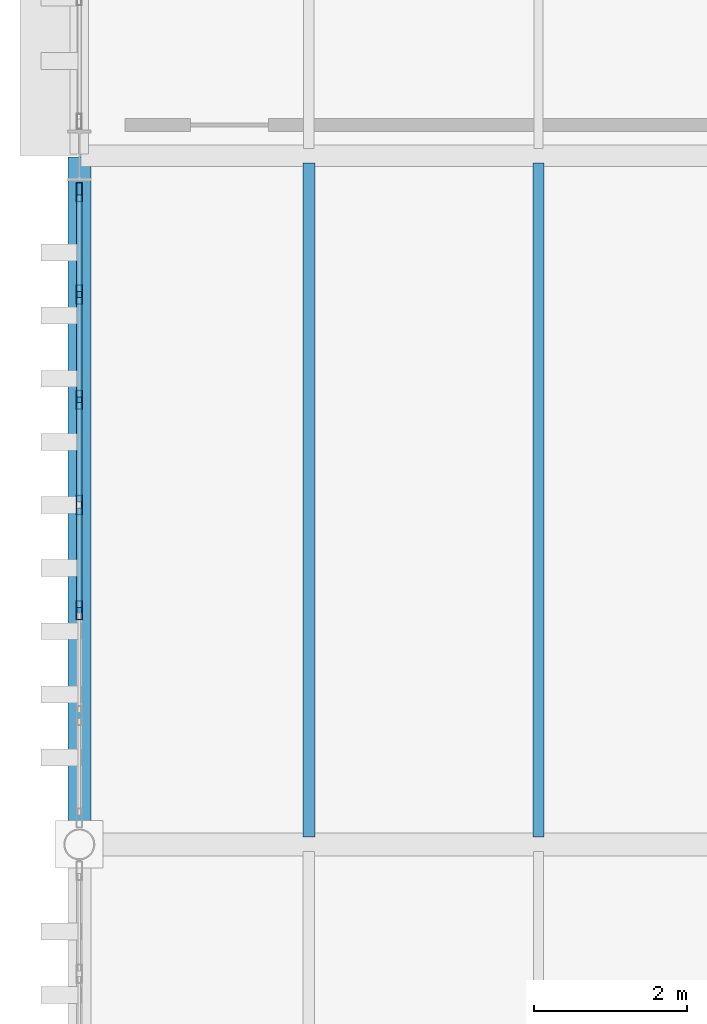
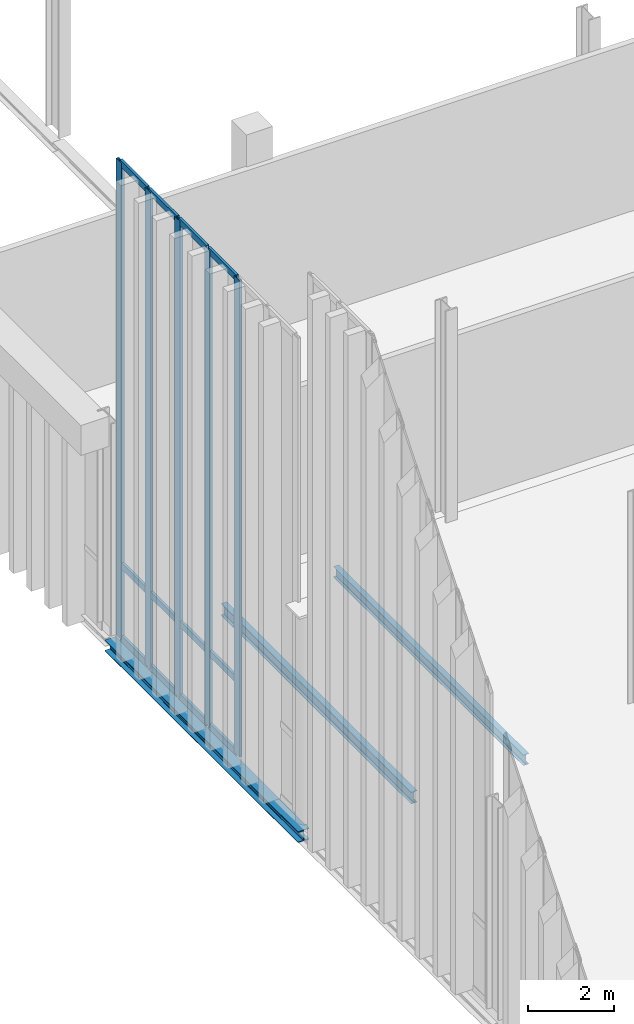
# One storey, part 62 of 237: 17 members, 3 beams, 1 element without a shape of its own.
"""IFC4 building model written with IfcOpenShell, lengths in metres."""

from ifc_helpers import new_model, si_unit, direction, frame, origin, origin_2d, place, context, subcontext, project, spatial, hollow_rectangle, i_section, extrude, material, layer, layer_set, material_profile, profile_set, type_object, element, aggregate, save


model = new_model("IFC4")

# Units and contexts
model_context = context("Model", 3, precision=1e-05, world=origin(), true_north=direction((0.0, 1.0)))
body_context = subcontext(model_context, "Body", "Model", "MODEL_VIEW")
ifc_project = project(units=[si_unit("LENGTHUNIT", "METRE"), si_unit("AREAUNIT", "SQUARE_METRE"), si_unit("VOLUMEUNIT", "CUBIC_METRE"), si_unit("PLANEANGLEUNIT", "RADIAN"), si_unit("MASSUNIT", "GRAM", prefix="KILO")], contexts=[model_context])

# Site, building, storey
site_placement = place(None, origin())
site = spatial("IfcSite", under=ifc_project, at=site_placement, CompositionType="ELEMENT")
building_placement = place(site_placement, origin())
building = spatial("IfcBuilding", under=site, at=building_placement, Name="Barlavento Convention Centre", CompositionType="ELEMENT")
storey_placement = place(building_placement, frame((0.0, 0.0, 12.0)))
storey = spatial("IfcBuildingStorey", under=building, at=storey_placement, Name="L02", CompositionType="ELEMENT", Elevation=12.0)

# Curtain wall, members
ifc_material_1 = material(Name="Powder-coated aluminium and Low-E glass", Category="aluminium")
ifc_layer = layer(ifc_material_1, 0.18994140625)
ifc_layer_set = layer_set([ifc_layer], Name="ARC-CW-CONG-L02")
curtain_wall_type = type_object("IfcCurtainWallType", Name="ARC-CW-CONG-L02", PredefinedType="NOTDEFINED", material=ifc_layer_set)
curtain_wall_placement = place(storey_placement, origin())
curtain_wall = element("IfcCurtainWall", 1, at=curtain_wall_placement, inside=storey, type_object=curtain_wall_type, Name="L02 unitised curtain wall CW02", PredefinedType="NOTDEFINED")
ifc_material_2 = material(Name="Powder-coated aluminium", Category="aluminium")
ifc_material_profile_1 = material_profile(ifc_material_2, hollow_rectangle(XDim=0.074951171875, YDim=0.25, WallThickness=0.006103515625, at=origin_2d()), Name="AL-MULL 75x250x6")
ifc_profile_set_1 = profile_set([ifc_material_profile_1], Name="Powder-coated aluminium")
member_type_1 = type_object("IfcMemberType", Name="ARC-CWM-75X250", PredefinedType="MULLION", material=ifc_profile_set_1)
member_1_placement = place(storey_placement, frame((0.0, 48.05908203125, 0.0), z_axis=(0.0, 0.0, 1.0), x_axis=(-1.0, 0.0, 0.0)))
member_1 = element("IfcMember", 2, at=member_1_placement, type_object=member_type_1, Name="CW02 mullion 3", PredefinedType="MULLION", context=body_context, shape_type="SweptSolid", body=[
    extrude(hollow_rectangle(XDim=0.074951171875, YDim=0.25, WallThickness=0.006103515625, at=origin_2d()), origin(), (0.0, 0.0, 1.0), 13.5029296875),
])
member_2_placement = place(storey_placement, frame((0.0, 49.4345703125, 0.0), z_axis=(0.0, 0.0, 1.0), x_axis=(-1.0, 0.0, 0.0)))
member_2 = element("IfcMember", 3, at=member_2_placement, type_object=member_type_1, Name="CW02 mullion 4", PredefinedType="MULLION", context=body_context, shape_type="SweptSolid", body=[
    extrude(hollow_rectangle(XDim=0.074951171875, YDim=0.25, WallThickness=0.006103515625, at=origin_2d()), origin(), (0.0, 0.0, 1.0), 13.5029296875),
])
member_3_placement = place(storey_placement, frame((0.0, 50.81005859375, 0.0), z_axis=(0.0, 0.0, 1.0), x_axis=(-1.0, 0.0, 0.0)))
member_3 = element("IfcMember", 4, at=member_3_placement, type_object=member_type_1, Name="CW02 mullion 5", PredefinedType="MULLION", context=body_context, shape_type="SweptSolid", body=[
    extrude(hollow_rectangle(XDim=0.074951171875, YDim=0.25, WallThickness=0.006103515625, at=origin_2d()), origin(), (0.0, 0.0, 1.0), 13.5029296875),
])
member_4_placement = place(storey_placement, frame((0.0, 52.185546875, 0.0), z_axis=(0.0, 0.0, 1.0), x_axis=(-1.0, 0.0, 0.0)))
member_4 = element("IfcMember", 5, at=member_4_placement, type_object=member_type_1, Name="CW02 mullion 6", PredefinedType="MULLION", context=body_context, shape_type="SweptSolid", body=[
    extrude(hollow_rectangle(XDim=0.074951171875, YDim=0.25, WallThickness=0.006103515625, at=origin_2d()), origin(), (0.0, 0.0, 1.0), 13.5029296875),
])
member_5_placement = place(storey_placement, frame((0.0, 53.5234375, 0.0), z_axis=(0.0, 0.0, 1.0), x_axis=(-1.0, 0.0, 0.0)))
member_5 = element("IfcMember", 6, at=member_5_placement, type_object=member_type_1, Name="CW02 mullion 7", PredefinedType="MULLION", context=body_context, shape_type="SweptSolid", body=[
    extrude(hollow_rectangle(XDim=0.074951171875, YDim=0.25, WallThickness=0.006103515625, at=origin_2d()), origin(), (0.0, 0.0, 1.0), 13.5029296875),
])
ifc_material_profile_2 = material_profile(ifc_material_2, hollow_rectangle(XDim=0.070068359375, YDim=0.179931640625, WallThickness=0.0048828125, at=origin_2d()), Name="AL-TRAN 70x180x5")
ifc_profile_set_2 = profile_set([ifc_material_profile_2], Name="Powder-coated aluminium")
member_type_2 = type_object("IfcMemberType", Name="ARC-CWT-70X180", PredefinedType="USERDEFINED", material=ifc_profile_set_2)
member_6_placement = place(storey_placement, frame((0.0, 48.0966796875, 0.034912109375), z_axis=(0.0, 1.0, 0.0), x_axis=(-1.0, 0.0, 0.0)))
member_6 = element("IfcMember", 7, at=member_6_placement, type_object=member_type_2, Name="CW02 transom 3.1", ObjectType="TRANSOM", PredefinedType="USERDEFINED", context=body_context, shape_type="SweptSolid", body=[
    extrude(hollow_rectangle(XDim=0.070068359375, YDim=0.179931640625, WallThickness=0.0048828125, at=origin_2d()), origin(), (0.0, 0.0, 1.0), 1.300537109375),
])
member_7_placement = place(storey_placement, frame((0.0, 48.0966796875, 2.10009765625), z_axis=(0.0, 1.0, 0.0), x_axis=(-1.0, 0.0, 0.0)))
member_7 = element("IfcMember", 8, at=member_7_placement, type_object=member_type_2, Name="CW02 transom 3.2", ObjectType="TRANSOM", PredefinedType="USERDEFINED", context=body_context, shape_type="SweptSolid", body=[
    extrude(hollow_rectangle(XDim=0.070068359375, YDim=0.179931640625, WallThickness=0.0048828125, at=origin_2d()), origin(), (0.0, 0.0, 1.0), 1.300537109375),
])
member_8_placement = place(storey_placement, frame((0.0, 48.0966796875, 13.468017578125), z_axis=(0.0, 1.0, 0.0), x_axis=(-1.0, 0.0, 0.0)))
member_8 = element("IfcMember", 9, at=member_8_placement, type_object=member_type_2, Name="CW02 transom 3.3", ObjectType="TRANSOM", PredefinedType="USERDEFINED", context=body_context, shape_type="SweptSolid", body=[
    extrude(hollow_rectangle(XDim=0.070068359375, YDim=0.179931640625, WallThickness=0.0048828125, at=origin_2d()), origin(), (0.0, 0.0, 1.0), 1.300537109375),
])
member_9_placement = place(storey_placement, frame((0.0, 49.47216796875, 0.034912109375), z_axis=(0.0, 1.0, 0.0), x_axis=(-1.0, 0.0, 0.0)))
member_9 = element("IfcMember", 10, at=member_9_placement, type_object=member_type_2, Name="CW02 transom 4.1", ObjectType="TRANSOM", PredefinedType="USERDEFINED", context=body_context, shape_type="SweptSolid", body=[
    extrude(hollow_rectangle(XDim=0.070068359375, YDim=0.179931640625, WallThickness=0.0048828125, at=origin_2d()), origin(), (0.0, 0.0, 1.0), 1.30029296875),
])
member_10_placement = place(storey_placement, frame((0.0, 49.47216796875, 2.10009765625), z_axis=(0.0, 1.0, 0.0), x_axis=(-1.0, 0.0, 0.0)))
member_10 = element("IfcMember", 11, at=member_10_placement, type_object=member_type_2, Name="CW02 transom 4.2", ObjectType="TRANSOM", PredefinedType="USERDEFINED", context=body_context, shape_type="SweptSolid", body=[
    extrude(hollow_rectangle(XDim=0.070068359375, YDim=0.179931640625, WallThickness=0.0048828125, at=origin_2d()), origin(), (0.0, 0.0, 1.0), 1.30029296875),
])
member_11_placement = place(storey_placement, frame((0.0, 49.47216796875, 13.468017578125), z_axis=(0.0, 1.0, 0.0), x_axis=(-1.0, 0.0, 0.0)))
member_11 = element("IfcMember", 12, at=member_11_placement, type_object=member_type_2, Name="CW02 transom 4.3", ObjectType="TRANSOM", PredefinedType="USERDEFINED", context=body_context, shape_type="SweptSolid", body=[
    extrude(hollow_rectangle(XDim=0.070068359375, YDim=0.179931640625, WallThickness=0.0048828125, at=origin_2d()), origin(), (0.0, 0.0, 1.0), 1.30029296875),
])
member_12_placement = place(storey_placement, frame((0.0, 50.84765625, 0.034912109375), z_axis=(0.0, 1.0, 0.0), x_axis=(-1.0, 0.0, 0.0)))
member_12 = element("IfcMember", 13, at=member_12_placement, type_object=member_type_2, Name="CW02 transom 5.1", ObjectType="TRANSOM", PredefinedType="USERDEFINED", context=body_context, shape_type="SweptSolid", body=[
    extrude(hollow_rectangle(XDim=0.070068359375, YDim=0.179931640625, WallThickness=0.0048828125, at=origin_2d()), origin(), (0.0, 0.0, 1.0), 1.30029296875),
])
member_13_placement = place(storey_placement, frame((0.0, 50.84765625, 2.10009765625), z_axis=(0.0, 1.0, 0.0), x_axis=(-1.0, 0.0, 0.0)))
member_13 = element("IfcMember", 14, at=member_13_placement, type_object=member_type_2, Name="CW02 transom 5.2", ObjectType="TRANSOM", PredefinedType="USERDEFINED", context=body_context, shape_type="SweptSolid", body=[
    extrude(hollow_rectangle(XDim=0.070068359375, YDim=0.179931640625, WallThickness=0.0048828125, at=origin_2d()), origin(), (0.0, 0.0, 1.0), 1.30029296875),
])
member_14_placement = place(storey_placement, frame((0.0, 50.84765625, 13.468017578125), z_axis=(0.0, 1.0, 0.0), x_axis=(-1.0, 0.0, 0.0)))
member_14 = element("IfcMember", 15, at=member_14_placement, type_object=member_type_2, Name="CW02 transom 5.3", ObjectType="TRANSOM", PredefinedType="USERDEFINED", context=body_context, shape_type="SweptSolid", body=[
    extrude(hollow_rectangle(XDim=0.070068359375, YDim=0.179931640625, WallThickness=0.0048828125, at=origin_2d()), origin(), (0.0, 0.0, 1.0), 1.30029296875),
])
member_15_placement = place(storey_placement, frame((0.0, 52.22314453125, 0.034912109375), z_axis=(0.0, 1.0, 0.0), x_axis=(-1.0, 0.0, 0.0)))
member_15 = element("IfcMember", 16, at=member_15_placement, type_object=member_type_2, Name="CW02 transom 6.1", ObjectType="TRANSOM", PredefinedType="USERDEFINED", context=body_context, shape_type="SweptSolid", body=[
    extrude(hollow_rectangle(XDim=0.070068359375, YDim=0.179931640625, WallThickness=0.0048828125, at=origin_2d()), origin(), (0.0, 0.0, 1.0), 1.262939453125),
])
member_16_placement = place(storey_placement, frame((0.0, 52.22314453125, 2.10009765625), z_axis=(0.0, 1.0, 0.0), x_axis=(-1.0, 0.0, 0.0)))
member_16 = element("IfcMember", 17, at=member_16_placement, type_object=member_type_2, Name="CW02 transom 6.2", ObjectType="TRANSOM", PredefinedType="USERDEFINED", context=body_context, shape_type="SweptSolid", body=[
    extrude(hollow_rectangle(XDim=0.070068359375, YDim=0.179931640625, WallThickness=0.0048828125, at=origin_2d()), origin(), (0.0, 0.0, 1.0), 1.262939453125),
])
member_17_placement = place(storey_placement, frame((0.0, 52.22314453125, 13.468017578125), z_axis=(0.0, 1.0, 0.0), x_axis=(-1.0, 0.0, 0.0)))
member_17 = element("IfcMember", 18, at=member_17_placement, type_object=member_type_2, Name="CW02 transom 6.3", ObjectType="TRANSOM", PredefinedType="USERDEFINED", context=body_context, shape_type="SweptSolid", body=[
    extrude(hollow_rectangle(XDim=0.070068359375, YDim=0.179931640625, WallThickness=0.0048828125, at=origin_2d()), origin(), (0.0, 0.0, 1.0), 1.262939453125),
])
aggregate(curtain_wall, [member_1, member_2, member_3, member_4, member_5, member_6, member_7, member_8, member_9, member_10, member_11, member_12, member_13, member_14, member_15, member_16, member_17])

# Beams
ifc_material_3 = material(Name="Steel S355", Category="steel")
ifc_material_profile_3 = material_profile(ifc_material_3, i_section(OverallWidth=0.14990234375, OverallDepth=0.300048828125, WebThickness=0.007080078125, FlangeThickness=0.0107421875, FilletRadius=0.014892578125, at=origin_2d()), Name="IPE 300")
ifc_profile_set_3 = profile_set([ifc_material_profile_3], Name="Steel S355")
beam_type_1 = type_object("IfcBeamType", Name="STR-BM-JST-IPE300", PredefinedType="JOIST", material=ifc_profile_set_3)
beam_1_placement = place(storey_placement, frame((6.0, 45.094970703125, -0.449951171875), z_axis=(0.0, 1.0, 0.0), x_axis=(-1.0, 0.0, 0.0)))
element("IfcBeam", 19, at=beam_1_placement, inside=storey, type_object=beam_type_1, Name="L02 composite floor joist SJ07", PredefinedType="JOIST", context=body_context, shape_type="SweptSolid", body=[
    extrude(i_section(OverallWidth=0.14990234375, OverallDepth=0.300048828125, WebThickness=0.007080078125, FlangeThickness=0.0107421875, FilletRadius=0.014892578125, at=origin_2d()), origin(), (0.0, 0.0, 1.0), 8.81005859375),
])
ifc_material_profile_4 = material_profile(ifc_material_3, i_section(OverallWidth=0.159912109375, OverallDepth=0.330078125, WebThickness=0.007568359375, FlangeThickness=0.011474609375, FilletRadius=0.01806640625, at=origin_2d()), Name="IPE 330")
ifc_profile_set_4 = profile_set([ifc_material_profile_4], Name="Steel S355")
beam_type_2 = type_object("IfcBeamType", Name="STR-BM-JST-IPE330", PredefinedType="JOIST", material=ifc_profile_set_4)
beam_2_placement = place(storey_placement, frame((3.0, 45.094970703125, -0.465087890625), z_axis=(0.0, 1.0, 0.0), x_axis=(-1.0, 0.0, 0.0)))
element("IfcBeam", 20, at=beam_2_placement, inside=storey, type_object=beam_type_2, Name="L02 composite floor joist SJ06", PredefinedType="JOIST", context=body_context, shape_type="SweptSolid", body=[
    extrude(i_section(OverallWidth=0.159912109375, OverallDepth=0.330078125, WebThickness=0.007568359375, FlangeThickness=0.011474609375, FilletRadius=0.01806640625, at=origin_2d()), origin(), (0.0, 0.0, 1.0), 8.81005859375),
])
ifc_material_profile_5 = material_profile(ifc_material_3, i_section(OverallWidth=0.300048828125, OverallDepth=0.31005859375, WebThickness=0.009033203125, FlangeThickness=0.015380859375, FilletRadius=0.027099609375, at=origin_2d()), Name="HEA 320")
ifc_profile_set_5 = profile_set([ifc_material_profile_5], Name="Steel S355")
beam_type_3 = type_object("IfcBeamType", Name="STR-BM-SPN-HEA320", PredefinedType="SPANDREL", material=ifc_profile_set_5)
beam_3_placement = place(storey_placement, frame((0.0, 45.02001953125, -0.455078125), z_axis=(0.0, 1.0, 0.0), x_axis=(-1.0, 0.0, 0.0)))
element("IfcBeam", 21, at=beam_3_placement, inside=storey, type_object=beam_type_3, Name="L02 grid girder SP01", PredefinedType="SPANDREL", context=body_context, shape_type="SweptSolid", body=[
    extrude(i_section(OverallWidth=0.300048828125, OverallDepth=0.31005859375, WebThickness=0.009033203125, FlangeThickness=0.015380859375, FilletRadius=0.027099609375, at=origin_2d()), origin(), (0.0, 0.0, 1.0), 8.9599609375),
])

save(model, "model.ifc")
